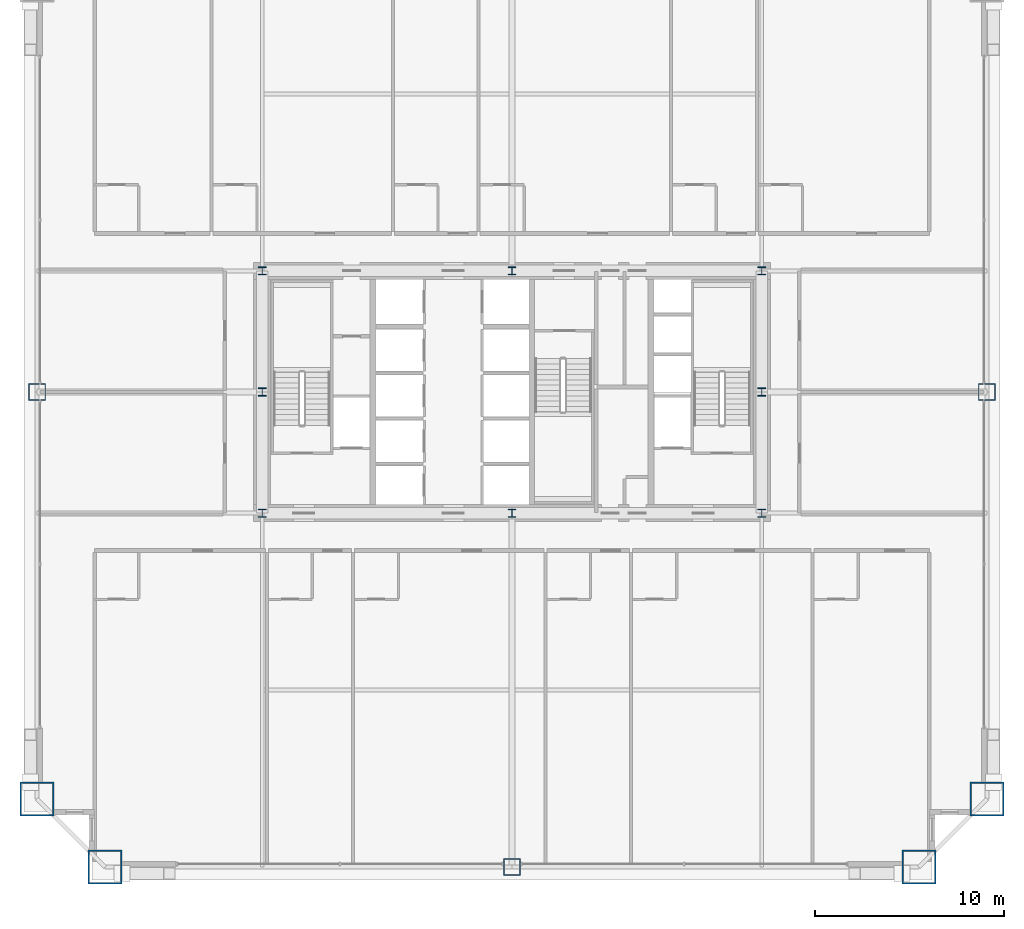
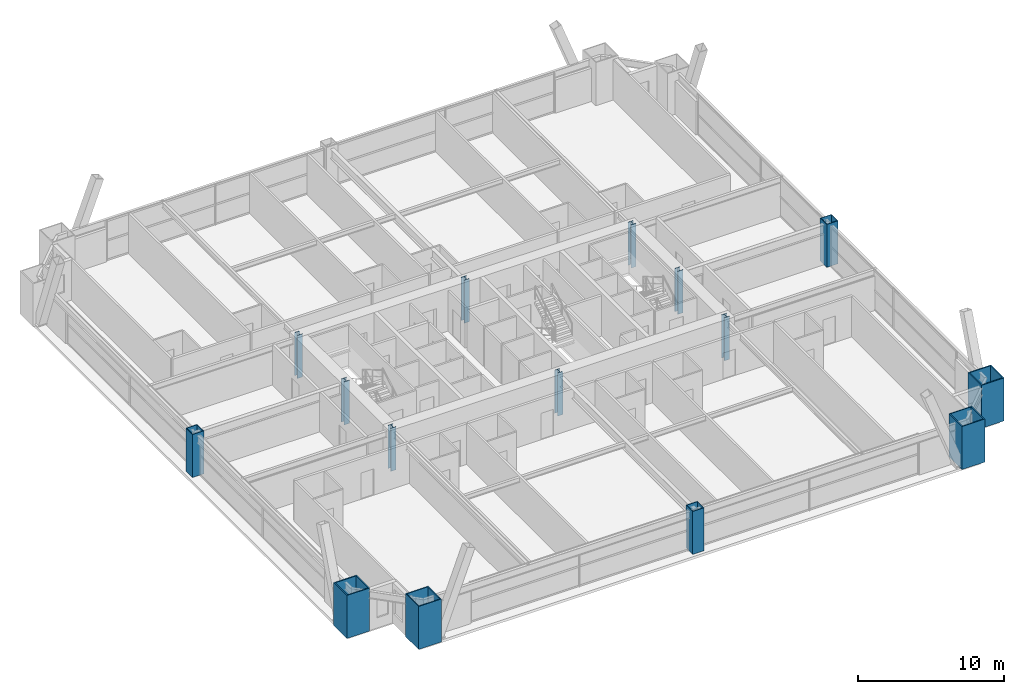
# One storey, part 1 of 43: 15 columns.
"""IFC4 building model written with IfcOpenShell, lengths in metres."""

from ifc_helpers import new_model, si_unit, direction, frame, origin, origin_2d, place, context, subcontext, project, spatial, hollow_rectangle, i_section, extrude, source, transform, mapped, material, material_profile, profile_set, type_object, element, save


model = new_model("IFC4")

# Units and contexts
model_context = context("Model", 3, precision=1e-05, world=origin(), true_north=direction((0.0, 1.0)))
body_context = subcontext(model_context, "Body", "Model", "MODEL_VIEW")
ifc_project = project(units=[si_unit("LENGTHUNIT", "METRE"), si_unit("AREAUNIT", "SQUARE_METRE"), si_unit("VOLUMEUNIT", "CUBIC_METRE"), si_unit("PLANEANGLEUNIT", "RADIAN"), si_unit("MASSUNIT", "GRAM", prefix="KILO"), si_unit("THERMODYNAMICTEMPERATUREUNIT", "KELVIN"), si_unit("POWERUNIT", "WATT")], contexts=[model_context])

# Site, building, storey
site_placement = place(None, origin())
site = spatial("IfcSite", under=ifc_project, at=site_placement, CompositionType="ELEMENT")
building_placement = place(site_placement, origin())
building = spatial("IfcBuilding", under=site, at=building_placement, Name="Yuzanri Waterfront Tower", CompositionType="ELEMENT")
storey_placement = place(building_placement, frame((0.0, 0.0, 74.800048828125)))
storey = spatial("IfcBuildingStorey", under=building, at=storey_placement, Name="L19", CompositionType="ELEMENT", Elevation=74.800048828125)

# Columns
ifc_material_1 = material(Name="Steel Q355B", Category="steel")
ifc_material_profile_1 = material_profile(ifc_material_1, i_section(OverallWidth=0.406982421875, OverallDepth=0.427978515625, WebThickness=0.02001953125, FlangeThickness=0.034912109375, at=origin_2d()), Name="HW 428x407x20x35")
ifc_profile_set_1 = profile_set([ifc_material_profile_1], Name="Steel Q355B")
column_type_1 = type_object("IfcColumnType", Name="Core Post Q355B HW 428x407x20x35", PredefinedType="COLUMN", material=ifc_profile_set_1)
shared_shape_1 = source(origin(), body_context, "Body", "SweptSolid", [
    extrude(i_section(OverallWidth=0.406982421875, OverallDepth=0.427978515625, WebThickness=0.02001953125, FlangeThickness=0.034912109375, at=origin_2d()), origin(), (0.0, 0.0, 1.0), 3.599853515625),
])
for number, where, z_axis, x_axis, name in (
    (1, (23.800048828125, 19.39990234375, 0.0), (0.0, 0.0, 1.0), (1.0, 0.0, 0.0), "L19 Core Boundary Column CP1"),
    (2, (37.0, 19.39990234375, 0.0), (0.0, 0.0, 1.0), (1.0, 0.0, 0.0), "L19 Core Boundary Column CP2"),
    (3, (50.199951171875, 19.39990234375, 0.0), (0.0, 0.0, 1.0), (1.0, 0.0, 0.0), "L19 Core Boundary Column CP3"),
    (4, (23.800048828125, 25.800048828125, 0.0), (0.0, 0.0, 1.0), (1.0, 0.0, 0.0), "L19 Core Boundary Column CP4"),
    (5, (50.199951171875, 25.800048828125, 0.0), (0.0, 0.0, 1.0), (1.0, 0.0, 0.0), "L19 Core Boundary Column CP5"),
    (6, (23.800048828125, 32.199951171875, 0.0), (0.0, 0.0, 1.0), (1.0, 0.0, 0.0), "L19 Core Boundary Column CP6"),
    (7, (37.0, 32.199951171875, 0.0), (0.0, 0.0, 1.0), (1.0, 0.0, 0.0), "L19 Core Boundary Column CP7"),
    (8, (50.199951171875, 32.199951171875, 0.0), (0.0, 0.0, 1.0), (1.0, 0.0, 0.0), "L19 Core Boundary Column CP8"),
):
    element("IfcColumn", number, at=place(storey_placement, frame(where, z_axis=z_axis, x_axis=x_axis)), inside=storey, type_object=column_type_1, Name=name, PredefinedType="COLUMN", context=body_context, shape_type="MappedRepresentation", body=[
        mapped(shared_shape_1, transform((0.0, 0.0, 0.0), scale=1.0)),
    ])
ifc_material_2 = material(Name="Steel Q420GJC", Category="steel")
ifc_material_profile_2 = material_profile(ifc_material_2, hollow_rectangle(XDim=1.800048828125, YDim=1.800048828125, WallThickness=0.080078125, at=origin_2d()), Name="RHS 1800x1800x80")
ifc_profile_set_2 = profile_set([ifc_material_profile_2], Name="Steel Q420GJC")
column_type_2 = type_object("IfcColumnType", Name="Mega Column Q420GJC RHS 1800x1800x80", PredefinedType="COLUMN", material=ifc_profile_set_2)
shared_shape_2 = source(origin(), body_context, "Body", "SweptSolid", [
    extrude(hollow_rectangle(XDim=1.800048828125, YDim=1.800048828125, WallThickness=0.080078125, at=origin_2d()), origin(), (0.0, 0.0, 1.0), 3.599853515625),
])
for number, where, z_axis, x_axis, name in (
    (9, (15.5, 0.699951171875, 0.0), (0.0, 0.0, 1.0), (1.0, 0.0, 0.0), "L19 Perimeter Mega Column S1"),
    (10, (58.5, 0.699951171875, 0.0), (0.0, 0.0, 1.0), (1.0, 0.0, 0.0), "L19 Perimeter Mega Column S3"),
    (11, (11.89990234375, 4.300048828125, 0.0), (0.0, 0.0, 1.0), (1.0, 0.0, 0.0), "L19 Perimeter Mega Column W1"),
    (12, (62.10009765625, 4.300048828125, 0.0), (0.0, 0.0, 1.0), (1.0, 0.0, 0.0), "L19 Perimeter Mega Column E1"),
):
    element("IfcColumn", number, at=place(storey_placement, frame(where, z_axis=z_axis, x_axis=x_axis)), inside=storey, type_object=column_type_2, Name=name, PredefinedType="COLUMN", context=body_context, shape_type="MappedRepresentation", body=[
        mapped(shared_shape_2, transform((0.0, 0.0, 0.0), scale=1.0)),
    ])
ifc_material_3 = material(Name="Steel Q390GJC", Category="steel")
ifc_material_profile_3 = material_profile(ifc_material_3, hollow_rectangle(XDim=0.89990234375, YDim=0.89990234375, WallThickness=0.0419921875, at=origin_2d()), Name="RHS 900x900x42")
ifc_profile_set_3 = profile_set([ifc_material_profile_3], Name="Steel Q390GJC")
column_type_3 = type_object("IfcColumnType", Name="Frame Column Q390GJC RHS 900x900x42", PredefinedType="COLUMN", material=ifc_profile_set_3)
shared_shape_3 = source(origin(), body_context, "Body", "SweptSolid", [
    extrude(hollow_rectangle(XDim=0.89990234375, YDim=0.89990234375, WallThickness=0.0419921875, at=origin_2d()), origin(), (0.0, 0.0, 1.0), 3.599853515625),
])
for number, where, z_axis, x_axis, name in (
    (13, (37.0, 0.699951171875, 0.0), (0.0, 0.0, 1.0), (1.0, 0.0, 0.0), "L19 Perimeter Frame Column S2"),
    (14, (11.89990234375, 25.800048828125, 0.0), (0.0, 0.0, 1.0), (1.0, 0.0, 0.0), "L19 Perimeter Frame Column W2"),
    (15, (62.10009765625, 25.800048828125, 0.0), (0.0, 0.0, 1.0), (1.0, 0.0, 0.0), "L19 Perimeter Frame Column E2"),
):
    element("IfcColumn", number, at=place(storey_placement, frame(where, z_axis=z_axis, x_axis=x_axis)), inside=storey, type_object=column_type_3, Name=name, PredefinedType="COLUMN", context=body_context, shape_type="MappedRepresentation", body=[
        mapped(shared_shape_3, transform((0.0, 0.0, 0.0), scale=1.0)),
    ])

save(model, "model.ifc")
